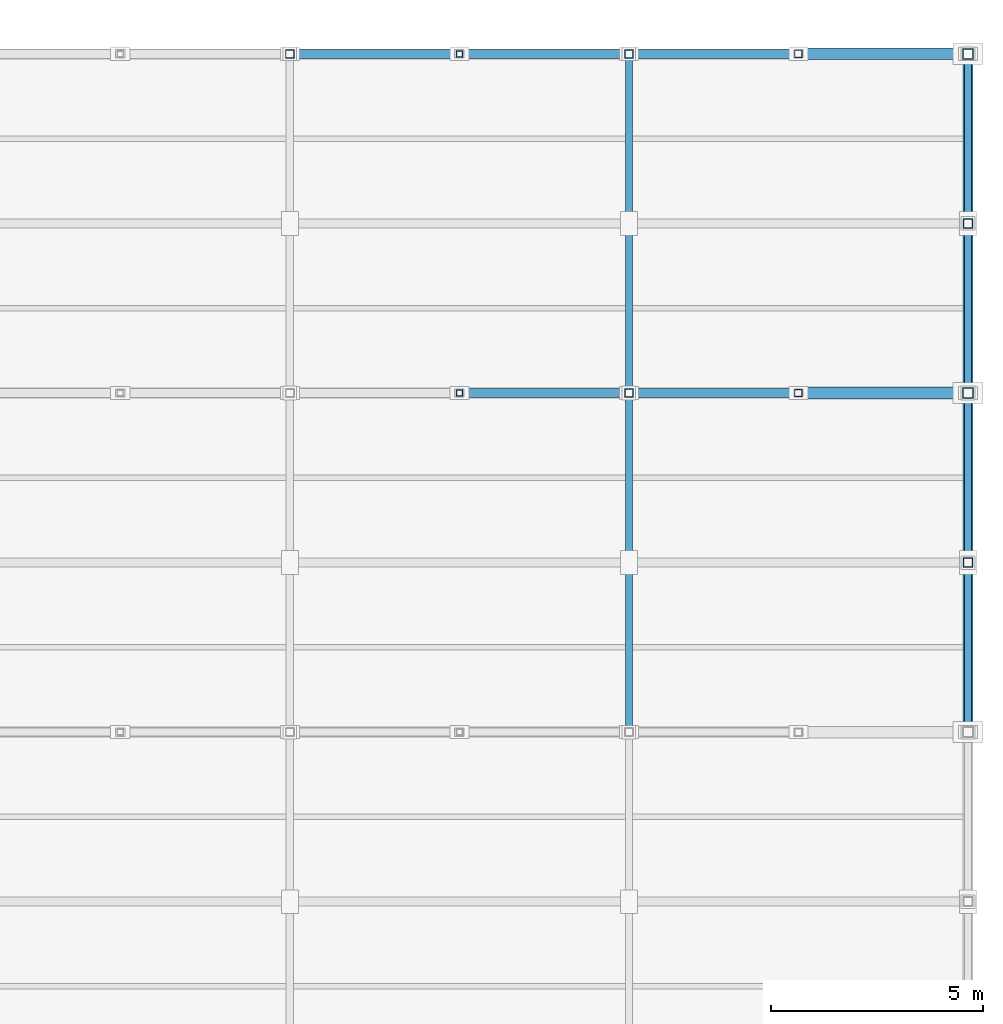
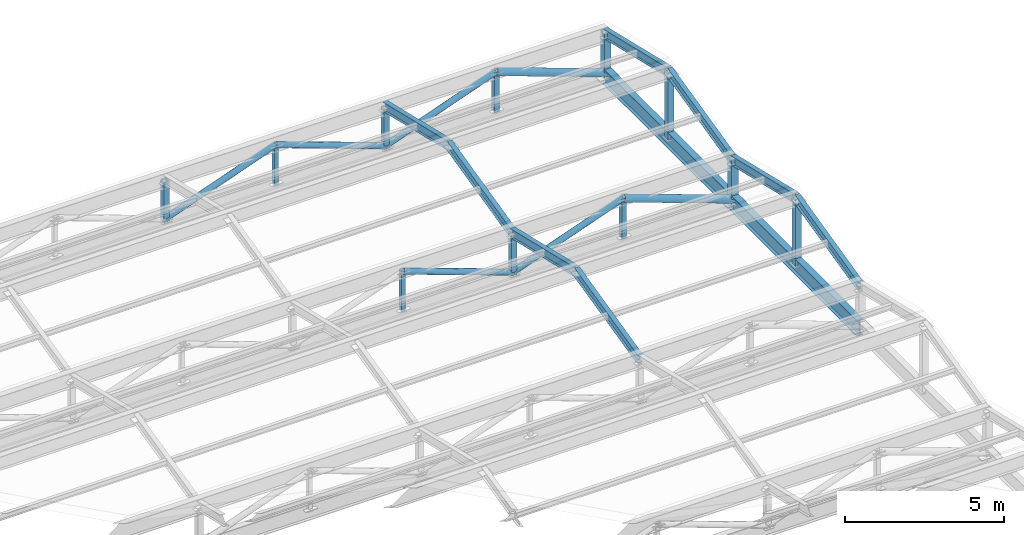
# One storey, part 65 of 112: 28 members.
"""IFC4 building model written with IfcOpenShell, lengths in metres."""

from ifc_helpers import new_model, si_unit, direction, frame, origin, origin_2d, place, context, subcontext, project, spatial, hollow_rectangle, hollow_circle, i_section, extrude, material, material_profile, profile_set, type_object, element, save


model = new_model("IFC4")

# Units and contexts
model_context = context("Model", 3, precision=1e-05, world=origin(), true_north=direction((0.0, 1.0)))
body_context = subcontext(model_context, "Body", "Model", "MODEL_VIEW")
ifc_project = project(units=[si_unit("LENGTHUNIT", "METRE"), si_unit("AREAUNIT", "SQUARE_METRE"), si_unit("VOLUMEUNIT", "CUBIC_METRE"), si_unit("PLANEANGLEUNIT", "RADIAN"), si_unit("MASSUNIT", "GRAM", prefix="KILO")], contexts=[model_context])

# Site, building, storey
site_placement = place(None, origin())
site = spatial("IfcSite", under=ifc_project, at=site_placement, CompositionType="ELEMENT")
building_placement = place(site_placement, origin())
building = spatial("IfcBuilding", under=site, at=building_placement, Name="Celadon Cloister-Ring School", CompositionType="ELEMENT")
storey_placement = place(building_placement, frame((0.0, 0.0, 8.5)))
storey = spatial("IfcBuildingStorey", under=building, at=storey_placement, Name="L02", CompositionType="ELEMENT", Elevation=8.5)

# Members
ifc_material_1 = material(Name="Structural steel S355JR", Category="steel")
ifc_material_profile_1 = material_profile(ifc_material_1, hollow_rectangle(XDim=0.25, YDim=0.25, WallThickness=0.010009765625, at=origin_2d()), Name="HSS250X250X10")
ifc_profile_set_1 = profile_set([ifc_material_profile_1], Name="Structural steel S355JR")
member_type_1 = type_object("IfcMemberType", Name="MB-01", PredefinedType="BRACE", material=ifc_profile_set_1)
for number, where, z_axis, x_axis, name in (
    (1, (174.0, 106.0, 0.85009765625), (0.0, 0.0, 1.0), (1.0, 0.0, 0.0), "Structural Member 0470"),
    (2, (174.0, 114.0, 0.85009765625), (0.0, 0.0, 1.0), (1.0, 0.0, 0.0), "Structural Member 0489"),
):
    element("IfcMember", number, at=place(storey_placement, frame(where, z_axis=z_axis, x_axis=x_axis)), inside=storey, type_object=member_type_1, Name=name, PredefinedType="BRACE", context=body_context, shape_type="SweptSolid", body=[
        extrude(hollow_rectangle(XDim=0.25, YDim=0.25, WallThickness=0.010009765625, at=origin_2d()), origin(), (0.0, 0.0, 1.0), 1.75),
    ])
ifc_material_2 = material(Name="Structural steel S355JR", Category="steel")
ifc_material_profile_2 = material_profile(ifc_material_2, hollow_rectangle(XDim=0.219970703125, YDim=0.219970703125, WallThickness=0.010009765625, at=origin_2d()), Name="HSS220X220X10")
ifc_profile_set_2 = profile_set([ifc_material_profile_2], Name="Structural steel S355JR")
member_type_2 = type_object("IfcMemberType", Name="MB-02", PredefinedType="BRACE", material=ifc_profile_set_2)
for number, where, z_axis, x_axis, name in (
    (3, (174.0, 102.0, 0.919921875), (0.0, 0.0, 1.0), (1.0, 0.0, 0.0), "Structural Member 0553"),
    (4, (174.0, 110.0, 0.919921875), (0.0, 0.0, 1.0), (1.0, 0.0, 0.0), "Structural Member 0568"),
):
    element("IfcMember", number, at=place(storey_placement, frame(where, z_axis=z_axis, x_axis=x_axis)), inside=storey, type_object=member_type_2, Name=name, PredefinedType="BRACE", context=body_context, shape_type="SweptSolid", body=[
        extrude(hollow_rectangle(XDim=0.219970703125, YDim=0.219970703125, WallThickness=0.010009765625, at=origin_2d()), origin(), (0.0, 0.0, 1.0), 2.580078125),
    ])
ifc_material_3 = material(Name="Structural steel S355JR", Category="steel")
ifc_material_profile_3 = material_profile(ifc_material_3, hollow_rectangle(XDim=0.199951171875, YDim=0.199951171875, WallThickness=0.010009765625, at=origin_2d()), Name="HSS200X200X10")
ifc_profile_set_3 = profile_set([ifc_material_profile_3], Name="Structural steel S355JR")
member_type_3 = type_object("IfcMemberType", Name="MB-03", PredefinedType="BRACE", material=ifc_profile_set_3)
for number, where, z_axis, x_axis, name in (
    (5, (166.0, 106.0, 0.919921875), (0.0, 0.0, 1.0), (1.0, 0.0, 0.0), "Structural Member 0479"),
    (6, (158.0, 114.0, 0.919921875), (0.0, 0.0, 1.0), (1.0, 0.0, 0.0), "Structural Member 0496"),
    (7, (166.0, 114.0, 0.919921875), (0.0, 0.0, 1.0), (1.0, 0.0, 0.0), "Structural Member 0498"),
):
    element("IfcMember", number, at=place(storey_placement, frame(where, z_axis=z_axis, x_axis=x_axis)), inside=storey, type_object=member_type_3, Name=name, PredefinedType="BRACE", context=body_context, shape_type="SweptSolid", body=[
        extrude(hollow_rectangle(XDim=0.199951171875, YDim=0.199951171875, WallThickness=0.010009765625, at=origin_2d()), origin(), (0.0, 0.0, 1.0), 1.56005859375),
    ])
ifc_material_4 = material(Name="Structural steel S355JR", Category="steel")
ifc_material_profile_4 = material_profile(ifc_material_4, hollow_rectangle(XDim=0.179931640625, YDim=0.179931640625, WallThickness=0.008056640625, at=origin_2d()), Name="HSS180X180X8")
ifc_profile_set_4 = profile_set([ifc_material_profile_4], Name="Structural steel S355JR")
member_type_4 = type_object("IfcMemberType", Name="MB-04", PredefinedType="BRACE", material=ifc_profile_set_4)
for number, where, z_axis, x_axis, name in (
    (8, (170.0, 106.0, 0.919921875), (0.0, 0.0, 1.0), (1.0, 0.0, 0.0), "Structural Member 0474"),
    (9, (170.0, 114.0, 0.919921875), (0.0, 0.0, 1.0), (1.0, 0.0, 0.0), "Structural Member 0493"),
):
    element("IfcMember", number, at=place(storey_placement, frame(where, z_axis=z_axis, x_axis=x_axis)), inside=storey, type_object=member_type_4, Name=name, PredefinedType="BRACE", context=body_context, shape_type="SweptSolid", body=[
        extrude(hollow_rectangle(XDim=0.179931640625, YDim=0.179931640625, WallThickness=0.008056640625, at=origin_2d()), origin(), (0.0, 0.0, 1.0), 1.56005859375),
    ])
ifc_material_5 = material(Name="Structural steel S355JR", Category="steel")
ifc_material_profile_5 = material_profile(ifc_material_5, hollow_rectangle(XDim=0.14990234375, YDim=0.14990234375, WallThickness=0.008056640625, at=origin_2d()), Name="HSS150X150X8")
ifc_profile_set_5 = profile_set([ifc_material_profile_5], Name="Structural steel S355JR")
member_type_5 = type_object("IfcMemberType", Name="MB-05", PredefinedType="BRACE", material=ifc_profile_set_5)
for number, where, z_axis, x_axis, name in (
    (10, (162.0, 106.0, 0.919921875), (0.0, 0.0, 1.0), (1.0, 0.0, 0.0), "Structural Member 0478"),
    (11, (162.0, 114.0, 0.919921875), (0.0, 0.0, 1.0), (1.0, 0.0, 0.0), "Structural Member 0497"),
):
    element("IfcMember", number, at=place(storey_placement, frame(where, z_axis=z_axis, x_axis=x_axis)), inside=storey, type_object=member_type_5, Name=name, PredefinedType="BRACE", context=body_context, shape_type="SweptSolid", body=[
        extrude(hollow_rectangle(XDim=0.14990234375, YDim=0.14990234375, WallThickness=0.008056640625, at=origin_2d()), origin(), (0.0, 0.0, 1.0), 1.56005859375),
    ])
ifc_material_6 = material(Name="Structural steel S355JR", Category="steel")
ifc_material_profile_6 = material_profile(ifc_material_6, hollow_circle(Radius=0.136474609375, WallThickness=0.010009765625, at=origin_2d()), Name="CHS273.0X10")
ifc_profile_set_6 = profile_set([ifc_material_profile_6], Name="Structural steel S355JR")
member_type_6 = type_object("IfcMemberType", Name="MB-07", PredefinedType="BRACE", material=ifc_profile_set_6)
for number, where, z_axis, x_axis, name in (
    (12, (170.0, 106.0, 2.419921875), (0.94089180426, 0.0, -0.338707266939), (0.0, 1.0, 0.0), "Structural Member 0487"),
    (13, (170.0, 114.0, 2.419921875), (0.94089180426, 0.0, -0.338707266939), (0.0, 1.0, 0.0), "Structural Member 0506"),
):
    element("IfcMember", number, at=place(storey_placement, frame(where, z_axis=z_axis, x_axis=x_axis)), inside=storey, type_object=member_type_6, Name=name, PredefinedType="BRACE", context=body_context, shape_type="SweptSolid", body=[
        extrude(hollow_circle(Radius=0.136474609375, WallThickness=0.010009765625, at=origin_2d()), origin(), (0.0, 0.0, 1.0), 4.251220703125),
    ])
ifc_material_7 = material(Name="Structural steel S355JR", Category="steel")
ifc_material_profile_7 = material_profile(ifc_material_7, hollow_circle(Radius=0.109619140625, WallThickness=0.010009765625, at=origin_2d()), Name="CHS219.1X10")
ifc_profile_set_7 = profile_set([ifc_material_profile_7], Name="Structural steel S355JR")
member_type_7 = type_object("IfcMemberType", Name="MB-08", PredefinedType="BRACE", material=ifc_profile_set_7)
for number, where, z_axis, x_axis, name in (
    (14, (162.0, 106.0, 2.419921875), (0.94089180426, 0.0, -0.338707266939), (0.0, 1.0, 0.0), "Structural Member 0485"),
    (15, (166.0, 106.0, 0.97998046875), (0.94089180426, 0.0, 0.338707266939), (0.0, 1.0, 0.0), "Structural Member 0486"),
    (16, (158.0, 114.0, 0.97998046875), (0.94089180426, 0.0, 0.338707266939), (0.0, 1.0, 0.0), "Structural Member 0503"),
    (17, (162.0, 114.0, 2.419921875), (0.94089180426, 0.0, -0.338707266939), (0.0, 1.0, 0.0), "Structural Member 0504"),
    (18, (166.0, 114.0, 0.97998046875), (0.94089180426, 0.0, 0.338707266939), (0.0, 1.0, 0.0), "Structural Member 0505"),
):
    element("IfcMember", number, at=place(storey_placement, frame(where, z_axis=z_axis, x_axis=x_axis)), inside=storey, type_object=member_type_7, Name=name, PredefinedType="BRACE", context=body_context, shape_type="SweptSolid", body=[
        extrude(hollow_circle(Radius=0.109619140625, WallThickness=0.010009765625, at=origin_2d()), origin(), (0.0, 0.0, 1.0), 4.251220703125),
    ])
ifc_material_8 = material(Name="Structural steel S355JR", Category="steel")
ifc_material_profile_8 = material_profile(ifc_material_8, i_section(OverallWidth=0.22900390625, OverallDepth=0.612060546875, WebThickness=0.011962890625, FlangeThickness=0.01953125, at=origin_2d()), Name="W610X125")
ifc_profile_set_8 = profile_set([ifc_material_profile_8], Name="Structural steel S355JR")
member_type_8 = type_object("IfcMemberType", Name="MC-01", PredefinedType="CHORD", material=ifc_profile_set_8)
for number, where, z_axis, x_axis, name in (
    (19, (174.0, 98.0, 0.89990234375), (0.0, 1.0, 0.0), (-1.0, 0.0, 0.0), "Structural Member 0390"),
    (20, (174.0, 106.0, 0.89990234375), (0.0, 1.0, 0.0), (-1.0, 0.0, 0.0), "Structural Member 0392"),
):
    element("IfcMember", number, at=place(storey_placement, frame(where, z_axis=z_axis, x_axis=x_axis)), inside=storey, type_object=member_type_8, Name=name, PredefinedType="CHORD", context=body_context, shape_type="SweptSolid", body=[
        extrude(i_section(OverallWidth=0.22900390625, OverallDepth=0.612060546875, WebThickness=0.011962890625, FlangeThickness=0.01953125, at=origin_2d()), origin(), (0.0, 0.0, 1.0), 8.0),
    ])
ifc_material_9 = material(Name="Structural steel S355JR", Category="steel")
ifc_material_profile_9 = material_profile(ifc_material_9, i_section(OverallWidth=0.1708984375, OverallDepth=0.35498046875, WebThickness=0.007080078125, FlangeThickness=0.01171875, at=origin_2d()), Name="W360X51")
ifc_profile_set_9 = profile_set([ifc_material_profile_9], Name="Structural steel S355JR")
member_type_9 = type_object("IfcMemberType", Name="MR-05", PredefinedType="RAFTER", material=ifc_profile_set_9)
for number, where, z_axis, x_axis, name in (
    (21, (166.0, 98.0, 2.5), (0.0, 0.97293922076, 0.231061188231), (-1.0, 0.0, 0.0), "Structural Member 0561"),
    (22, (166.0, 102.0, 3.449951171875), (0.0, 0.97293922076, -0.231061188231), (-1.0, 0.0, 0.0), "Structural Member 0562"),
    (23, (174.0, 98.0, 2.5), (0.0, 0.97293922076, 0.231061188231), (-1.0, 0.0, 0.0), "Structural Member 0563"),
    (24, (174.0, 102.0, 3.449951171875), (0.0, 0.97293922076, -0.231061188231), (-1.0, 0.0, 0.0), "Structural Member 0564"),
    (25, (166.0, 106.0, 2.5), (0.0, 0.97293922076, 0.231061188231), (-1.0, 0.0, 0.0), "Structural Member 0576"),
    (26, (166.0, 110.0, 3.449951171875), (0.0, 0.97293922076, -0.231061188231), (-1.0, 0.0, 0.0), "Structural Member 0577"),
    (27, (174.0, 106.0, 2.5), (0.0, 0.97293922076, 0.231061188231), (-1.0, 0.0, 0.0), "Structural Member 0578"),
    (28, (174.0, 110.0, 3.449951171875), (0.0, 0.97293922076, -0.231061188231), (-1.0, 0.0, 0.0), "Structural Member 0579"),
):
    element("IfcMember", number, at=place(storey_placement, frame(where, z_axis=z_axis, x_axis=x_axis)), inside=storey, type_object=member_type_9, Name=name, PredefinedType="RAFTER", context=body_context, shape_type="SweptSolid", body=[
        extrude(i_section(OverallWidth=0.1708984375, OverallDepth=0.35498046875, WebThickness=0.007080078125, FlangeThickness=0.01171875, at=origin_2d()), origin(), (0.0, 0.0, 1.0), 4.111328125),
    ])

save(model, "model.ifc")
